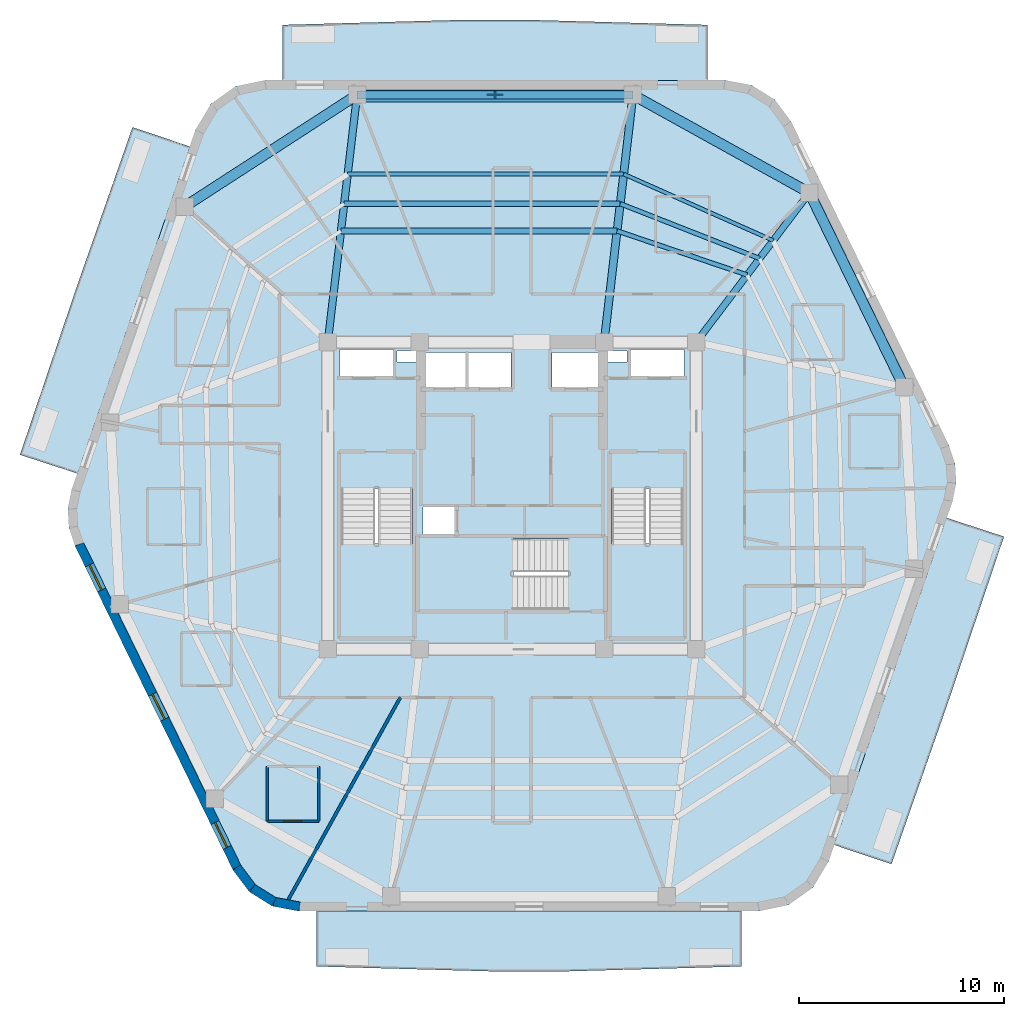
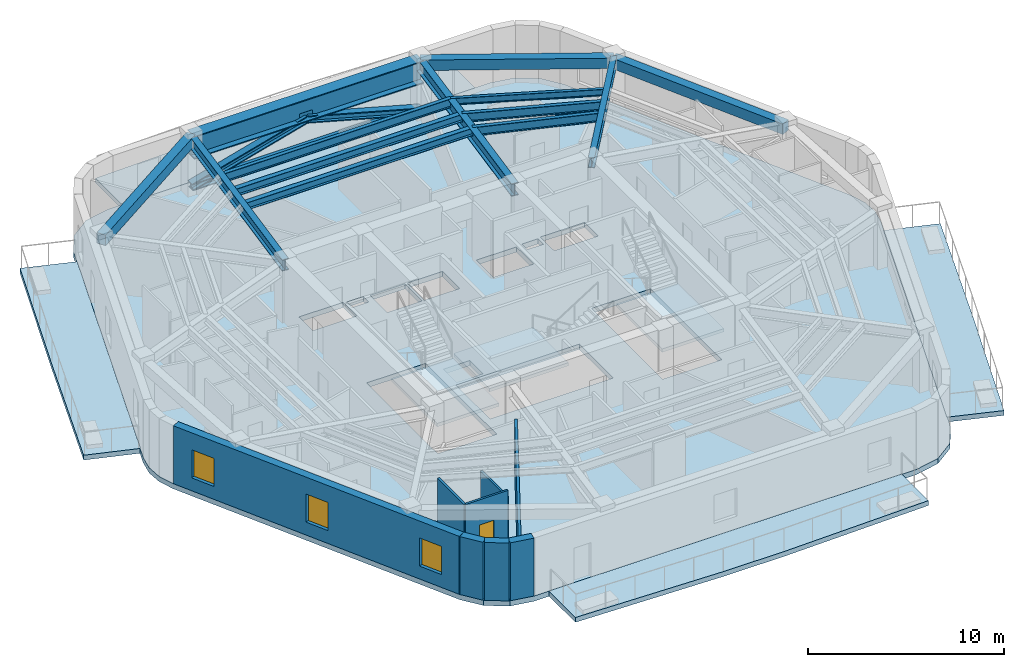
# One storey, part 2 of 9: 13 beams, 8 slabs, 8 walls, 3 members, 3 windows, 1 door, 1 plate, 4 openings, 3 elements without a shape of their own.
"""IFC4 building model written with IfcOpenShell, lengths in metres."""

from ifc_helpers import new_model, si_unit, direction, frame, frame_2d, origin, origin_2d, place, context, subcontext, project, spatial, polyline, rectangle, i_section, outline, extrude, material, layer, layer_set, material_profile, profile_set, type_object, element, fill, aggregate, save


model = new_model("IFC4")

# Units and contexts
model_context = context("Model", 3, precision=1e-05, world=origin(), true_north=direction((0.0, 1.0)))
body_context = subcontext(model_context, "Body", "Model", "MODEL_VIEW")
ifc_project = project(units=[si_unit("LENGTHUNIT", "METRE"), si_unit("AREAUNIT", "SQUARE_METRE"), si_unit("VOLUMEUNIT", "CUBIC_METRE"), si_unit("PLANEANGLEUNIT", "RADIAN"), si_unit("MASSUNIT", "GRAM", prefix="KILO")], contexts=[model_context])

# Site, building, storey
site_placement = place(None, origin())
site = spatial("IfcSite", under=ifc_project, at=site_placement, CompositionType="ELEMENT")
building_placement = place(site_placement, origin())
building = spatial("IfcBuilding", under=site, at=building_placement, Name="Kilnhurst Terrace Hotel", CompositionType="ELEMENT")
storey_placement = place(building_placement, frame((0.0, 0.0, 297.60009765625)))
storey = spatial("IfcBuildingStorey", under=building, at=storey_placement, Name="L74", CompositionType="ELEMENT", Elevation=297.60009765625)

# Beams
ifc_material_1 = material(Name="Concrete C50/60", Category="concrete")
ifc_material_profile_1 = material_profile(ifc_material_1, rectangle(XDim=0.5, YDim=0.64990234375, at=origin_2d()), Name="RC500X650")
ifc_profile_set_1 = profile_set([ifc_material_profile_1], Name="Concrete C50/60")
beam_type_1 = type_object("IfcBeamType", Name="BM-SPN-500X650", PredefinedType="SPANDREL", material=ifc_profile_set_1)
beam_1_placement = place(storey_placement, frame((19.157958984375, 5.304931640625, 3.27490234375), z_axis=(-0.438128464895, 0.898912369616, 0.0), x_axis=(-0.898912369616, -0.438128464895, 0.0)))
element("IfcBeam", 1, at=beam_1_placement, inside=storey, type_object=beam_type_1, Name="L74 Perimeter Spandrel Beam 5", PredefinedType="SPANDREL", context=body_context, shape_type="SweptSolid", body=[
    extrude(rectangle(XDim=0.5, YDim=0.64990234375, at=origin_2d()), origin(), (0.0, 0.0, 1.0), 10.560791015625),
])
beam_2_placement = place(storey_placement, frame((14.531005859375, 14.798095703125, 3.27490234375), z_axis=(-0.874527255888, 0.484976369227, 0.0), x_axis=(-0.484976369227, -0.874527255888, 0.0)))
element("IfcBeam", 2, at=beam_2_placement, inside=storey, type_object=beam_type_1, Name="L74 Perimeter Spandrel Beam 6", PredefinedType="SPANDREL", context=body_context, shape_type="SweptSolid", body=[
    extrude(rectangle(XDim=0.5, YDim=0.64990234375, at=origin_2d()), origin(), (0.0, 0.0, 1.0), 9.8603515625),
])
beam_3_placement = place(storey_placement, frame((-7.569091796875, 19.580078125, 3.27490234375), z_axis=(-0.839258818809, -0.543732135386, 0.0), x_axis=(0.543732135386, -0.839258818809, 0.0)))
element("IfcBeam", 3, at=beam_3_placement, inside=storey, type_object=beam_type_1, Name="L74 Perimeter Spandrel Beam 8", PredefinedType="SPANDREL", context=body_context, shape_type="SweptSolid", body=[
    extrude(rectangle(XDim=0.5, YDim=0.64990234375, at=origin_2d()), origin(), (0.0, 0.0, 1.0), 10.039794921875),
])
ifc_material_2 = material(Name="Steel ASTM A992 Grade 50", Category="steel")
ifc_material_profile_2 = material_profile(ifc_material_2, i_section(OverallWidth=0.3251953125, OverallDepth=0.6162109375, WebThickness=0.013916015625, FlangeThickness=0.021484375, at=origin_2d()), Name="W24X117")
ifc_profile_set_2 = profile_set([ifc_material_profile_2], Name="Steel ASTM A992 Grade 50")
beam_type_2 = type_object("IfcBeamType", Name="BM-STL-W24X117", PredefinedType="BEAM", material=ifc_profile_set_2)
beam_4_placement = place(storey_placement, frame((9.0, 7.5, 3.2919921875), z_axis=(0.604006537698, 0.79697936135, 0.0), x_axis=(-0.79697936135, 0.604006537698, 0.0)))
element("IfcBeam", 4, at=beam_4_placement, inside=storey, type_object=beam_type_2, Name="L74 Radial Floor Beam 6", PredefinedType="BEAM", context=body_context, shape_type="SweptSolid", body=[
    extrude(i_section(OverallWidth=0.3251953125, OverallDepth=0.6162109375, WebThickness=0.013916015625, FlangeThickness=0.021484375, at=origin_2d()), origin(), (0.0, 0.0, 1.0), 9.1572265625),
])
ifc_material_profile_3 = material_profile(ifc_material_2, i_section(OverallWidth=0.354736328125, OverallDepth=0.695556640625, WebThickness=0.015380859375, FlangeThickness=0.025146484375, at=origin_2d()), Name="W27X146")
ifc_profile_set_3 = profile_set([ifc_material_profile_3], Name="Steel ASTM A992 Grade 50")
beam_type_3 = type_object("IfcBeamType", Name="BM-STL-W27X146", PredefinedType="BEAM", material=ifc_profile_set_3)
beam_5_placement = place(storey_placement, frame((-9.0, 7.5, 3.251953125), z_axis=(0.117629552811, 0.993057545314, 0.0), x_axis=(-0.993057545314, 0.117629552811, 0.0)))
element("IfcBeam", 5, at=beam_5_placement, inside=storey, type_object=beam_type_3, Name="L74 Radial Floor Beam 8", PredefinedType="BEAM", context=body_context, shape_type="SweptSolid", body=[
    extrude(i_section(OverallWidth=0.354736328125, OverallDepth=0.695556640625, WebThickness=0.015380859375, FlangeThickness=0.025146484375, at=origin_2d()), origin(), (0.0, 0.0, 1.0), 12.16455078125),
])
ifc_material_profile_4 = material_profile(ifc_material_2, i_section(OverallWidth=0.380615234375, OverallDepth=0.773193359375, WebThickness=0.0166015625, FlangeThickness=0.027099609375, at=origin_2d()), Name="W30X173")
ifc_profile_set_4 = profile_set([ifc_material_profile_4], Name="Steel ASTM A992 Grade 50")
beam_type_4 = type_object("IfcBeamType", Name="BM-STL-W30X173", PredefinedType="BEAM", material=ifc_profile_set_4)
beam_6_placement = place(storey_placement, frame((4.5, 7.5, 3.212890625), z_axis=(0.115768472001, 0.993276225876, 0.0), x_axis=(-0.993276225876, 0.115768472001, 0.0)))
element("IfcBeam", 6, at=beam_6_placement, inside=storey, type_object=beam_type_4, Name="L74 Radial Floor Beam 7", PredefinedType="BEAM", context=body_context, shape_type="SweptSolid", body=[
    extrude(i_section(OverallWidth=0.380615234375, OverallDepth=0.773193359375, WebThickness=0.0166015625, FlangeThickness=0.027099609375, at=origin_2d()), origin(), (0.0, 0.0, 1.0), 12.161865234375),
])
ifc_material_profile_5 = material_profile(ifc_material_2, i_section(OverallWidth=0.180908203125, OverallDepth=0.417236328125, WebThickness=0.010986328125, FlangeThickness=0.018310546875, at=origin_2d()), Name="W16X57")
ifc_profile_set_5 = profile_set([ifc_material_profile_5], Name="Steel ASTM A992 Grade 50")
beam_type_5 = type_object("IfcBeamType", Name="JST-STL-W16X57", PredefinedType="JOIST", material=ifc_profile_set_5)
beam_7_placement = place(storey_placement, frame((12.760986328125, 12.462646484375, 3.390869140625), z_axis=(-0.913545640569, 0.406736232216, 0.0), x_axis=(-0.406736232216, -0.913545640569, 0.0)))
element("IfcBeam", 7, at=beam_7_placement, inside=storey, type_object=beam_type_5, Name="L74 Secondary Floor Steel Joist OUT.6", PredefinedType="JOIST", context=body_context, shape_type="SweptSolid", body=[
    extrude(i_section(OverallWidth=0.180908203125, OverallDepth=0.417236328125, WebThickness=0.010986328125, FlangeThickness=0.018310546875, at=origin_2d()), origin(), (0.0, 0.0, 1.0), 7.99462890625),
])
ifc_material_profile_6 = material_profile(ifc_material_2, i_section(OverallWidth=0.279296875, OverallDepth=0.462890625, WebThickness=0.0107421875, FlangeThickness=0.017333984375, at=origin_2d()), Name="W18X76")
ifc_profile_set_6 = profile_set([ifc_material_profile_6], Name="Steel ASTM A992 Grade 50")
beam_type_6 = type_object("IfcBeamType", Name="JST-STL-W18X76", PredefinedType="JOIST", material=ifc_profile_set_6)
beam_8_placement = place(storey_placement, frame((5.133544921875, 12.93603515625, 3.367919921875), z_axis=(-1.0, 0.0, 0.0), x_axis=(0.0, -1.0, 0.0)))
element("IfcBeam", 8, at=beam_8_placement, inside=storey, type_object=beam_type_6, Name="L74 Secondary Floor Steel Joist IN.7", PredefinedType="JOIST", context=body_context, shape_type="SweptSolid", body=[
    extrude(i_section(OverallWidth=0.279296875, OverallDepth=0.462890625, WebThickness=0.0107421875, FlangeThickness=0.017333984375, at=origin_2d()), origin(), (0.0, 0.0, 1.0), 13.489501953125),
])
beam_9_placement = place(storey_placement, frame((5.28857421875, 14.264892578125, 3.367919921875), z_axis=(-1.0, 0.0, 0.0), x_axis=(0.0, -1.0, 0.0)))
element("IfcBeam", 9, at=beam_9_placement, inside=storey, type_object=beam_type_6, Name="L74 Secondary Floor Steel Joist MID.7", PredefinedType="JOIST", context=body_context, shape_type="SweptSolid", body=[
    extrude(i_section(OverallWidth=0.279296875, OverallDepth=0.462890625, WebThickness=0.0107421875, FlangeThickness=0.017333984375, at=origin_2d()), origin(), (0.0, 0.0, 1.0), 13.487060546875),
])
ifc_material_profile_7 = material_profile(ifc_material_2, i_section(OverallWidth=0.2138671875, OverallDepth=0.549072265625, WebThickness=0.0146484375, FlangeThickness=0.023681640625, at=origin_2d()), Name="W21X93")
ifc_profile_set_7 = profile_set([ifc_material_profile_7], Name="Steel ASTM A992 Grade 50")
beam_type_7 = type_object("IfcBeamType", Name="JST-STL-W21X93", PredefinedType="JOIST", material=ifc_profile_set_7)
beam_10_placement = place(storey_placement, frame((5.45751953125, 15.71435546875, 3.324951171875), z_axis=(-1.0, 0.0, 0.0), x_axis=(0.0, -1.0, 0.0)))
element("IfcBeam", 10, at=beam_10_placement, inside=storey, type_object=beam_type_7, Name="L74 Secondary Floor Steel Joist OUT.7", PredefinedType="JOIST", context=body_context, shape_type="SweptSolid", body=[
    extrude(i_section(OverallWidth=0.2138671875, OverallDepth=0.549072265625, WebThickness=0.0146484375, FlangeThickness=0.023681640625, at=origin_2d()), origin(), (0.0, 0.0, 1.0), 13.484375),
])
beam_11_placement = place(storey_placement, frame((11.489013671875, 10.7841796875, 3.324951171875), z_axis=(-0.947180946302, 0.320699633555, 0.0), x_axis=(-0.320699633555, -0.947180946302, 0.0)))
element("IfcBeam", 11, at=beam_11_placement, inside=storey, type_object=beam_type_7, Name="L74 Secondary Floor Steel Joist IN.6", PredefinedType="JOIST", context=body_context, shape_type="SweptSolid", body=[
    extrude(i_section(OverallWidth=0.2138671875, OverallDepth=0.549072265625, WebThickness=0.0146484375, FlangeThickness=0.023681640625, at=origin_2d()), origin(), (0.0, 0.0, 1.0), 6.7099609375),
])
beam_12_placement = place(storey_placement, frame((12.097412109375, 11.5869140625, 3.324951171875), z_axis=(-0.930608251849, 0.366016777745, 0.0), x_axis=(-0.366016777745, -0.930608251849, 0.0)))
element("IfcBeam", 12, at=beam_12_placement, inside=storey, type_object=beam_type_7, Name="L74 Secondary Floor Steel Joist MID.6", PredefinedType="JOIST", context=body_context, shape_type="SweptSolid", body=[
    extrude(i_section(OverallWidth=0.2138671875, OverallDepth=0.549072265625, WebThickness=0.0146484375, FlangeThickness=0.023681640625, at=origin_2d()), origin(), (0.0, 0.0, 1.0), 7.316650390625),
])

# Members
ifc_material_profile_8 = material_profile(ifc_material_2, i_section(OverallWidth=0.40625, OverallDepth=0.416015625, WebThickness=0.02978515625, FlangeThickness=0.048095703125, at=origin_2d()), Name="W14X257")
ifc_profile_set_8 = profile_set([ifc_material_profile_8], Name="Steel ASTM A992 Grade 50")
member_type_1 = type_object("IfcMemberType", Name="MEM-CHD-W14X257", PredefinedType="CHORD", material=ifc_profile_set_8)
member_1_placement = place(storey_placement, frame((5.907958984375, 19.580078125, 0.349853515625), z_axis=(-1.0, 0.0, 0.0), x_axis=(0.0, -1.0, 0.0)))
element("IfcMember", 13, at=member_1_placement, inside=storey, type_object=member_type_1, Name="L74 Wind Portal Bridge Truss Bottom Chord", PredefinedType="CHORD", context=body_context, shape_type="SweptSolid", body=[
    extrude(i_section(OverallWidth=0.40625, OverallDepth=0.416015625, WebThickness=0.02978515625, FlangeThickness=0.048095703125, at=origin_2d()), origin(), (0.0, 0.0, 1.0), 13.47705078125),
])
ifc_material_profile_9 = material_profile(ifc_material_2, i_section(OverallWidth=0.412109375, OverallDepth=0.434814453125, WebThickness=0.035888671875, FlangeThickness=0.057373046875, at=origin_2d()), Name="W14X311")
ifc_profile_set_9 = profile_set([ifc_material_profile_9], Name="Steel ASTM A992 Grade 50")
member_type_2 = type_object("IfcMemberType", Name="MEM-PRT-DIAG-311", PredefinedType="BRACE", material=ifc_profile_set_9)
member_2_placement = place(storey_placement, frame((5.907958984375, 19.580078125, 0.349853515625), z_axis=(-0.96431005648, 0.0, 0.264775593609), x_axis=(0.0, -1.0, 0.0)))
element("IfcMember", 14, at=member_2_placement, inside=storey, type_object=member_type_2, Name="L74 Wind Portal Bridge Truss West Diagonal", PredefinedType="BRACE", context=body_context, shape_type="SweptSolid", body=[
    extrude(i_section(OverallWidth=0.412109375, OverallDepth=0.434814453125, WebThickness=0.035888671875, FlangeThickness=0.057373046875, at=origin_2d()), origin(), (0.0, 0.0, 1.0), 6.9873046875),
])
member_3_placement = place(storey_placement, frame((-7.569091796875, 19.580078125, 0.349853515625), z_axis=(0.964319852541, 0.0, 0.26473991387), x_axis=(0.0, 1.0, 0.0)))
element("IfcMember", 15, at=member_3_placement, inside=storey, type_object=member_type_2, Name="L74 Wind Portal Bridge Truss East Diagonal", PredefinedType="BRACE", context=body_context, shape_type="SweptSolid", body=[
    extrude(i_section(OverallWidth=0.412109375, OverallDepth=0.434814453125, WebThickness=0.035888671875, FlangeThickness=0.057373046875, at=origin_2d()), origin(), (0.0, 0.0, 1.0), 6.98828125),
])

# Beam
ifc_material_3 = material(Name="Steel ASTM A572 Grade 50", Category="steel")
ifc_material_profile_10 = material_profile(ifc_material_3, i_section(OverallWidth=0.699951171875, OverallDepth=1.39990234375, WebThickness=0.035888671875, FlangeThickness=0.054931640625, at=origin_2d()), Name="PG1400X700")
ifc_profile_set_10 = profile_set([ifc_material_profile_10], Name="Steel ASTM A572 Grade 50")
beam_type_8 = type_object("IfcBeamType", Name="TG-PORT-1400", PredefinedType="USERDEFINED", material=ifc_profile_set_10)
beam_13_placement = place(storey_placement, frame((5.907958984375, 19.580078125, 2.89990234375), z_axis=(-1.0, 0.0, 0.0), x_axis=(0.0, -1.0, 0.0)))
element("IfcBeam", 16, at=beam_13_placement, inside=storey, type_object=beam_type_8, Name="L74 Perimeter Spandrel Beam 7", ObjectType="GIRDER", PredefinedType="USERDEFINED", context=body_context, shape_type="SweptSolid", body=[
    extrude(i_section(OverallWidth=0.699951171875, OverallDepth=1.39990234375, WebThickness=0.035888671875, FlangeThickness=0.054931640625, at=origin_2d()), origin(), (0.0, 0.0, 1.0), 13.47705078125),
])

# Plate
ifc_layer_1 = layer(ifc_material_3, 0.050048828125, Name="Steel ASTM A572 Grade 50")
ifc_layer_set_1 = layer_set([ifc_layer_1], Name="Steel ASTM A572 Grade 50")
plate_type = type_object("IfcPlateType", Name="PLT-GUSSET-50", PredefinedType="USERDEFINED", material=ifc_layer_set_1)
plate_placement = place(storey_placement, frame((-0.830078125, 19.580078125, 1.824951171875), z_axis=(0.0, 0.0, 1.0), x_axis=(1.0, 0.0, 0.0)))
element("IfcPlate", 17, at=plate_placement, inside=storey, type_object=plate_type, Name="L74 Wind Portal Bridge Truss Apex Gusset Plate", ObjectType="GUSSET_PLATE", PredefinedType="USERDEFINED", context=body_context, shape_type="SweptSolid", body=[
    extrude(rectangle(XDim=0.75, YDim=0.050048828125, at=origin_2d()), origin(), (0.0, 0.0, 1.0), 0.75),
])

# Slabs
ifc_layer_2 = layer(ifc_material_1, 0.300048828125, Name="Concrete C50/60")
ifc_layer_set_2 = layer_set([ifc_layer_2], Name="Concrete C50/60")
slab_type_1 = type_object("IfcSlabType", Name="SLB-BAL-300", PredefinedType="FLOOR", material=ifc_layer_set_2)
slab_1_placement = place(storey_placement, frame((0.0, 0.0, -0.300048828125)))
element("IfcSlab", 18, at=slab_1_placement, inside=storey, type_object=slab_type_1, Name="L74 Cantilevered Planted Terrace Slab BAL-L1A", PredefinedType="FLOOR", context=body_context, shape_type="SweptSolid", body=[
    extrude(outline(polyline([(2.62060546875, -23.239990234375), (-0.958984375, -23.239990234375), (-9.5498046875, -23.0), (-9.5498046875, -20.280029296875), (11.211669921875, -20.280029296875), (11.211669921875, -23.0), (2.62060546875, -23.239990234375)])), origin(), (0.0, 0.0, 1.0), 0.300048828125),
])
slab_2_placement = place(storey_placement, frame((0.0, 0.0, -0.300048828125)))
element("IfcSlab", 19, at=slab_2_placement, inside=storey, type_object=slab_type_1, Name="L74 Cantilevered Planted Terrace Slab BAL-L1B", PredefinedType="FLOOR", context=body_context, shape_type="SweptSolid", body=[
    extrude(outline(polyline([(18.541259765625, -18.0), (15.725341796875, -17.0556640625), (21.223388671875, -1.0791015625), (24.037353515625, -2.0), (21.317626953125, -10.054931640625), (18.541259765625, -18.0)])), origin(), (0.0, 0.0, 1.0), 0.300048828125),
])
slab_3_placement = place(storey_placement, frame((0.0, 0.0, -0.300048828125)))
element("IfcSlab", 20, at=slab_3_placement, inside=storey, type_object=slab_type_1, Name="L74 Cantilevered Planted Terrace Slab BAL-L2A", PredefinedType="FLOOR", context=body_context, shape_type="SweptSolid", body=[
    extrude(outline(polyline([(0.958984375, 23.239990234375), (9.5498046875, 23.0), (9.5498046875, 20.280029296875), (-11.211669921875, 20.280029296875), (-11.211669921875, 23.0), (-2.62060546875, 23.239990234375), (0.958984375, 23.239990234375)])), origin(), (0.0, 0.0, 1.0), 0.300048828125),
])
slab_4_placement = place(storey_placement, frame((0.0, 0.0, -0.300048828125)))
element("IfcSlab", 21, at=slab_4_placement, inside=storey, type_object=slab_type_1, Name="L74 Cantilevered Planted Terrace Slab BAL-L2B", PredefinedType="FLOOR", context=body_context, shape_type="SweptSolid", body=[
    extrude(outline(polyline([(-18.541259765625, 18.0), (-15.725341796875, 17.0556640625), (-21.223388671875, 1.0791015625), (-24.037353515625, 2.0), (-21.317626953125, 10.054931640625), (-18.541259765625, 18.0)])), origin(), (0.0, 0.0, 1.0), 0.300048828125),
])
ifc_layer_3 = layer(ifc_material_1, 0.320068359375, Name="Concrete C50/60")
ifc_layer_set_3 = layer_set([ifc_layer_3], Name="Concrete C50/60")
slab_type_2 = type_object("IfcSlabType", Name="SLB-FLR-320", PredefinedType="FLOOR", material=ifc_layer_set_3)
slab_5_placement = place(storey_placement, frame((0.0, 0.0, -0.320068359375)))
element("IfcSlab", 22, at=slab_5_placement, inside=storey, type_object=slab_type_2, Name="L74 Structural Floor Slab", PredefinedType="FLOOR", context=body_context, shape_type="SweptSolid", body=[
    extrude(outline(polyline([(-13.635986328125, -18.27734375), (-12.840087890625, -19.3466796875), (-11.709716796875, -20.05322265625), (-10.39990234375, -20.300048828125), (12.061767578125, -20.300048828125), (13.5068359375, -19.9970703125), (14.708984375, -19.139404296875), (15.4658203125, -17.871337890625), (21.51513671875, -0.29248046875), (21.7021484375, 0.627685546875), (21.64501953125, 1.565185546875), (21.34716796875, 2.4560546875), (13.635986328125, 18.27734375), (12.840087890625, 19.3466796875), (11.709716796875, 20.05322265625), (10.39990234375, 20.300048828125), (-12.061767578125, 20.300048828125), (-13.5068359375, 19.9970703125), (-14.708984375, 19.139404296875), (-15.4658203125, 17.871337890625), (-21.51513671875, 0.29248046875), (-21.7021484375, -0.627685546875), (-21.64501953125, -1.565185546875), (-21.34716796875, -2.4560546875), (-13.635986328125, -18.27734375)]), holes=[polyline([(-8.35009765625, 0.35498046875), (-4.8798828125, 0.35498046875), (-4.8798828125, -6.89990234375), (-8.35009765625, -6.89990234375), (-8.35009765625, 0.35498046875)]), polyline([(-2.800048828125, -1.89990234375), (-4.35009765625, -1.89990234375), (-4.35009765625, -0.550048828125), (-2.800048828125, -0.550048828125), (-2.800048828125, -1.89990234375)]), polyline([(-2.25, 5.25), (-4.300048828125, 5.25), (-4.300048828125, 7.0), (-2.25, 7.0), (-2.25, 5.25)]), polyline([(-2.1201171875, 5.25), (-2.1201171875, 7.0), (-0.050048828125, 7.0), (-0.050048828125, 5.25), (-2.1201171875, 5.25)]), polyline([(-8.39990234375, 5.75), (-8.39990234375, 7.14990234375), (-5.800048828125, 7.14990234375), (-5.800048828125, 5.75), (-8.39990234375, 5.75)]), polyline([(-4.659912109375, 6.52001953125), (-5.6201171875, 6.52001953125), (-5.6201171875, 7.080078125), (-4.659912109375, 7.080078125), (-4.659912109375, 6.52001953125)]), polyline([(2.7548828125, -5.550048828125), (-4.5, -5.550048828125), (-4.5, -2.080078125), (2.7548828125, -2.080078125), (2.7548828125, -5.550048828125)]), polyline([(8.35009765625, 0.35498046875), (8.35009765625, -6.89990234375), (4.8798828125, -6.89990234375), (4.8798828125, 0.35498046875), (8.35009765625, 0.35498046875)]), polyline([(4.300048828125, 5.25), (1.949951171875, 5.25), (1.949951171875, 7.0), (4.300048828125, 7.0), (4.300048828125, 5.25)]), polyline([(5.800048828125, 5.75), (5.800048828125, 7.14990234375), (8.39990234375, 7.14990234375), (8.39990234375, 5.75), (5.800048828125, 5.75)]), polyline([(4.659912109375, 6.52001953125), (4.659912109375, 7.080078125), (5.6201171875, 7.080078125), (5.6201171875, 6.52001953125), (4.659912109375, 6.52001953125)])]), origin(), (0.0, 0.0, 1.0), 0.320068359375),
])

# Stair, slab
stair_type = type_object("IfcStairType", Name="STR-CORE-1660", PredefinedType="HALF_TURN_STAIR", material=ifc_material_1)
stair_1_placement = place(storey_placement, origin())
stair_1 = element("IfcStair", 23, at=stair_1_placement, inside=storey, type_object=stair_type, Name="L74 ST-1", PredefinedType="HALF_TURN_STAIR")
ifc_layer_4 = layer(ifc_material_1, 0.199951171875, Name="Concrete C50/60")
ifc_layer_set_4 = layer_set([ifc_layer_4], Name="Concrete C50/60")
slab_type_3 = type_object("IfcSlabType", Name="SLB-ST-LND-200", PredefinedType="LANDING", material=ifc_layer_set_4)
slab_6_placement = place(storey_placement, frame((0.0, 0.0, 1.75)))
slab_6 = element("IfcSlab", 24, at=slab_6_placement, type_object=slab_type_3, Name="ST-1 landing 1", PredefinedType="LANDING", context=body_context, shape_type="SweptSolid", body=[
    extrude(outline(polyline([(-8.429931640625, -2.330078125), (-4.800048828125, -2.330078125), (-4.800048828125, -6.97998046875), (-8.429931640625, -6.97998046875), (-8.429931640625, -2.330078125)])), origin(), (0.0, 0.0, 1.0), 0.199951171875),
])
aggregate(stair_1, [slab_6])

stair_2_placement = place(storey_placement, origin())
stair_2 = element("IfcStair", 25, at=stair_2_placement, inside=storey, type_object=stair_type, Name="L74 ST-2", PredefinedType="HALF_TURN_STAIR")
slab_7_placement = place(storey_placement, frame((0.0, 0.0, 1.75)))
slab_7 = element("IfcSlab", 26, at=slab_7_placement, type_object=slab_type_3, Name="ST-2 landing 1", PredefinedType="LANDING", context=body_context, shape_type="SweptSolid", body=[
    extrude(outline(polyline([(4.800048828125, -2.330078125), (8.429931640625, -2.330078125), (8.429931640625, -6.97998046875), (4.800048828125, -6.97998046875), (4.800048828125, -2.330078125)])), origin(), (0.0, 0.0, 1.0), 0.199951171875),
])
aggregate(stair_2, [slab_7])

stair_3_placement = place(storey_placement, origin())
stair_3 = element("IfcStair", 27, at=stair_3_placement, inside=storey, type_object=stair_type, Name="L74 ST-3", PredefinedType="HALF_TURN_STAIR")
slab_8_placement = place(storey_placement, frame((0.0, 0.0, 1.75)))
slab_8 = element("IfcSlab", 28, at=slab_8_placement, type_object=slab_type_3, Name="ST-3 landing 1", PredefinedType="LANDING", context=body_context, shape_type="SweptSolid", body=[
    extrude(outline(polyline([(0.070068359375, -2.0), (0.070068359375, -5.6298828125), (-4.580078125, -5.6298828125), (-4.580078125, -2.0), (0.070068359375, -2.0)])), origin(), (0.0, 0.0, 1.0), 0.199951171875),
])
aggregate(stair_3, [slab_8])

# Walls
ifc_material_4 = material(Name="Precast concrete C40/50", Category="concrete")
ifc_layer_5 = layer(ifc_material_4, 0.449951171875, Name="Precast concrete C40/50")
ifc_layer_set_5 = layer_set([ifc_layer_5], Name="Precast concrete C40/50")
wall_type_1 = type_object("IfcWallType", Name="WL-BRK-450", PredefinedType="SOLIDWALL", material=ifc_layer_set_5)
wall_1_placement = place(storey_placement, frame((-13.44287109375, -18.159912109375, 0.0), z_axis=(0.0, 0.0, 1.0), x_axis=(0.597042425808, -0.802209661987, 0.0)))
element("IfcWall", 29, at=wall_1_placement, inside=storey, type_object=wall_type_1, Name="L74 Rounded Corner Brick Wall C1.1", PredefinedType="SOLIDWALL", context=body_context, shape_type="SweptSolid", body=[
    extrude(rectangle(XDim=1.269775390625, YDim=0.449951171875, at=frame_2d((0.634765625, 0.0))), origin(), (0.0, 0.0, 1.0), 3.599853515625),
])
wall_2_placement = place(storey_placement, frame((-12.684814453125, -19.178466796875, 0.0), z_axis=(0.0, 0.0, 1.0), x_axis=(0.848031272749, -0.529946186362, 0.0)))
element("IfcWall", 30, at=wall_2_placement, inside=storey, type_object=wall_type_1, Name="L74 Rounded Corner Brick Wall C1.2", PredefinedType="SOLIDWALL", context=body_context, shape_type="SweptSolid", body=[
    extrude(rectangle(XDim=1.248046875, YDim=0.449951171875, at=frame_2d((0.6240234375, 0.0))), origin(), (0.0, 0.0, 1.0), 3.599853515625),
])
wall_3_placement = place(storey_placement, frame((-11.62646484375, -19.83984375, 0.0), z_axis=(0.0, 0.0, 1.0), x_axis=(0.982701956681, -0.185194126083, 0.0)))
element("IfcWall", 31, at=wall_3_placement, inside=storey, type_object=wall_type_1, Name="L74 Rounded Corner Brick Wall C1.3", PredefinedType="SOLIDWALL", context=body_context, shape_type="SweptSolid", body=[
    extrude(rectangle(XDim=1.26953125, YDim=0.449951171875, at=frame_2d((0.634765625, 0.0))), origin(), (0.0, 0.0, 1.0), 3.599853515625),
])

# Wall, openings, windows
wall_4_placement = place(storey_placement, frame((-21.138427734375, -2.370849609375, 0.0), z_axis=(0.0, 0.0, 1.0), x_axis=(0.438128124058, -0.89891253574, 0.0)))
wall_4 = element("IfcWall", 32, at=wall_4_placement, inside=storey, type_object=wall_type_1, Name="L74 Exterior Brick Facade Wall F6", PredefinedType="SOLIDWALL", context=body_context, shape_type="SweptSolid", body=[
    extrude(rectangle(XDim=17.564697265625, YDim=0.449951171875, at=frame_2d((8.7822265625, 0.0))), origin(), (0.0, 0.0, 1.0), 3.599853515625),
])
opening_1_placement = place(wall_4_placement, frame((1.133056640625, 0.0, 0.800048828125)))
opening_1 = element("IfcOpeningElement", 33, at=opening_1_placement, cuts=wall_4, Name="Opening W-06", PredefinedType="OPENING", context=body_context, shape_type="SweptSolid", body=[
    extrude(rectangle(XDim=1.35009765625, YDim=1.75, at=frame_2d((0.675048828125, 0.875))), frame((0.0, 0.23486328125, 0.0), z_axis=(0.0, -1.0, 0.0), x_axis=(1.0, 0.0, 0.0)), (0.0, 0.0, 1.0), 0.469970703125),
])
opening_2_placement = place(wall_4_placement, frame((8.157958984375, 0.0, 0.800048828125)))
opening_2 = element("IfcOpeningElement", 34, at=opening_2_placement, cuts=wall_4, Name="Opening W-06", PredefinedType="OPENING", context=body_context, shape_type="SweptSolid", body=[
    extrude(rectangle(XDim=1.35009765625, YDim=1.75, at=frame_2d((0.675048828125, 0.875))), frame((0.0, 0.23486328125, 0.0), z_axis=(0.0, -1.0, 0.0), x_axis=(1.0, 0.0, 0.0)), (0.0, 0.0, 1.0), 0.469970703125),
])
opening_3_placement = place(wall_4_placement, frame((15.132080078125, 0.0, 0.800048828125)))
opening_3 = element("IfcOpeningElement", 35, at=opening_3_placement, cuts=wall_4, Name="Opening W-06", PredefinedType="OPENING", context=body_context, shape_type="SweptSolid", body=[
    extrude(rectangle(XDim=1.35009765625, YDim=1.75, at=frame_2d((0.675048828125, 0.875))), frame((0.0, 0.23486328125, 0.0), z_axis=(0.0, -1.0, 0.0), x_axis=(1.0, 0.0, 0.0)), (0.0, 0.0, 1.0), 0.469970703125),
])
ifc_material_5 = material(Name="Thermally Broken Bronze Aluminium Alloy 6063-T6 and Low-E Glass", Category="aluminium")
window_type = type_object("IfcWindowType", Name="WIN-1350X1750", PartitioningType="SINGLE_PANEL", PredefinedType="WINDOW", material=ifc_material_5)
window_1_placement = place(opening_1_placement, origin())
window_1 = element("IfcWindow", 36, at=window_1_placement, inside=storey, type_object=window_type, Name="L74 Deep-Set Masonry Window F6.1", OverallHeight=1.75, OverallWidth=1.35009765625, PartitioningType="SINGLE_PANEL", PredefinedType="WINDOW", context=body_context, shape_type="SweptSolid", body=[
    extrude(rectangle(XDim=1.35009765625, YDim=1.75, at=frame_2d((0.675048828125, 0.875))), frame((0.0, 0.030029296875, 0.0), z_axis=(0.0, -1.0, 0.0), x_axis=(1.0, 0.0, 0.0)), (0.0, 0.0, 1.0), 0.06005859375),
])
fill(opening_1, window_1)
window_2_placement = place(opening_2_placement, origin())
window_2 = element("IfcWindow", 37, at=window_2_placement, inside=storey, type_object=window_type, Name="L74 Deep-Set Masonry Window F6.2", OverallHeight=1.75, OverallWidth=1.35009765625, PartitioningType="SINGLE_PANEL", PredefinedType="WINDOW", context=body_context, shape_type="SweptSolid", body=[
    extrude(rectangle(XDim=1.35009765625, YDim=1.75, at=frame_2d((0.675048828125, 0.875))), frame((0.0, 0.030029296875, 0.0), z_axis=(0.0, -1.0, 0.0), x_axis=(1.0, 0.0, 0.0)), (0.0, 0.0, 1.0), 0.06005859375),
])
fill(opening_2, window_2)
window_3_placement = place(opening_3_placement, origin())
window_3 = element("IfcWindow", 38, at=window_3_placement, inside=storey, type_object=window_type, Name="L74 Deep-Set Masonry Window F6.3", OverallHeight=1.75, OverallWidth=1.35009765625, PartitioningType="SINGLE_PANEL", PredefinedType="WINDOW", context=body_context, shape_type="SweptSolid", body=[
    extrude(rectangle(XDim=1.35009765625, YDim=1.75, at=frame_2d((0.675048828125, 0.875))), frame((0.0, 0.030029296875, 0.0), z_axis=(0.0, -1.0, 0.0), x_axis=(1.0, 0.0, 0.0)), (0.0, 0.0, 1.0), 0.06005859375),
])
fill(opening_3, window_3)

# Wall
ifc_material_6 = material(Name="STC-58 Acoustic Twin-Frame Guestroom Demising Partition")
ifc_layer_6 = layer(ifc_material_6, 0.14990234375, Name="STC-58 Acoustic Twin-Frame Guestroom Demising Partition")
ifc_layer_set_6 = layer_set([ifc_layer_6], Name="STC-58 Acoustic Twin-Frame Guestroom Demising Partition")
wall_type_2 = type_object("IfcWallType", Name="WL-DEM-150", PredefinedType="PARTITIONING", material=ifc_layer_set_6)
wall_5_placement = place(storey_placement, frame((-5.453857421875, -9.85009765625, 0.0), z_axis=(0.0, 0.0, 1.0), x_axis=(-0.48439420613, -0.874849846012, 0.0)))
element("IfcWall", 39, at=wall_5_placement, inside=storey, type_object=wall_type_2, Name="L74 Interior Wall WL-L74-DEM-MID08-11-1", PredefinedType="PARTITIONING", context=body_context, shape_type="SweptSolid", body=[
    extrude(rectangle(XDim=11.37548828125, YDim=0.14990234375, at=frame_2d((5.687744140625, 0.0))), origin(), (0.0, 0.0, 1.0), 2.93994140625),
])

# Wall, opening, door
ifc_material_7 = material(Name="120 mm Moisture-Resistant Tile-Backed Bathroom Partition")
ifc_layer_7 = layer(ifc_material_7, 0.1201171875, Name="120 mm Moisture-Resistant Tile-Backed Bathroom Partition")
ifc_layer_set_7 = layer_set([ifc_layer_7], Name="120 mm Moisture-Resistant Tile-Backed Bathroom Partition")
wall_type_3 = type_object("IfcWallType", Name="WL-PART-120", PredefinedType="PARTITIONING", material=ifc_layer_set_7)
wall_6_placement = place(storey_placement, frame((-11.958984375, -15.905029296875, 0.0), z_axis=(0.0, 0.0, 1.0), x_axis=(1.0, 0.0, 0.0)))
wall_6 = element("IfcWall", 40, at=wall_6_placement, inside=storey, type_object=wall_type_3, Name="L74 Interior Wall WL-L74-BTH-10-1", PredefinedType="PARTITIONING", context=body_context, shape_type="SweptSolid", body=[
    extrude(rectangle(XDim=2.52001953125, YDim=0.1201171875, at=frame_2d((1.260009765625, 0.0))), origin(), (0.0, 0.0, 1.0), 3.599853515625),
])
opening_4_placement = place(wall_6_placement, frame((0.8349609375, 0.0, 0.0)))
opening_4 = element("IfcOpeningElement", 41, at=opening_4_placement, cuts=wall_6, Name="Opening D-08A", PredefinedType="OPENING", context=body_context, shape_type="SweptSolid", body=[
    extrude(rectangle(XDim=0.85009765625, YDim=2.030029296875, at=frame_2d((0.425048828125, 1.01513671875))), frame((0.0, 0.070068359375, 0.0), z_axis=(0.0, -1.0, 0.0), x_axis=(1.0, 0.0, 0.0)), (0.0, 0.0, 1.0), 0.14013671875),
])
ifc_material_8 = material(Name="Moisture-Resistant Lacquered En-suite Bathroom Door")
door_type = type_object("IfcDoorType", Name="DR-INT-850", OperationType="NOTDEFINED", PredefinedType="DOOR", material=ifc_material_8)
door_placement = place(opening_4_placement, origin())
door = element("IfcDoor", 42, at=door_placement, inside=storey, type_object=door_type, Name="L74 En-suite Bathroom Door 10", OperationType="SINGLE_SWING_LEFT", OverallHeight=2.030029296875, OverallWidth=0.85009765625, PredefinedType="DOOR", context=body_context, shape_type="SweptSolid", body=[
    extrude(rectangle(XDim=0.85009765625, YDim=2.030029296875, at=frame_2d((0.425048828125, 1.01513671875))), frame((0.0, 0.02490234375, 0.0), z_axis=(0.0, -1.0, 0.0), x_axis=(1.0, 0.0, 0.0)), (0.0, 0.0, 1.0), 0.050048828125),
])
fill(opening_4, door)

# Walls
wall_7_placement = place(storey_placement, frame((-9.43896484375, -15.905029296875, 0.0), z_axis=(0.0, 0.0, 1.0), x_axis=(0.0, 1.0, 0.0)))
element("IfcWall", 43, at=wall_7_placement, inside=storey, type_object=wall_type_3, Name="L74 Interior Wall WL-L74-BTH-10-2", PredefinedType="PARTITIONING", context=body_context, shape_type="SweptSolid", body=[
    extrude(rectangle(XDim=2.679931640625, YDim=0.1201171875, at=frame_2d((1.33984375, 0.0))), origin(), (0.0, 0.0, 1.0), 3.17236328125),
])
wall_8_placement = place(storey_placement, frame((-11.958984375, -13.22509765625, 0.0), z_axis=(0.0, 0.0, 1.0), x_axis=(0.0, -1.0, 0.0)))
element("IfcWall", 44, at=wall_8_placement, inside=storey, type_object=wall_type_3, Name="L74 Interior Wall WL-L74-BTH-10-4", PredefinedType="PARTITIONING", context=body_context, shape_type="SweptSolid", body=[
    extrude(rectangle(XDim=2.679931640625, YDim=0.1201171875, at=frame_2d((1.33984375, 0.0))), origin(), (0.0, 0.0, 1.0), 3.599853515625),
])

save(model, "model.ifc")
